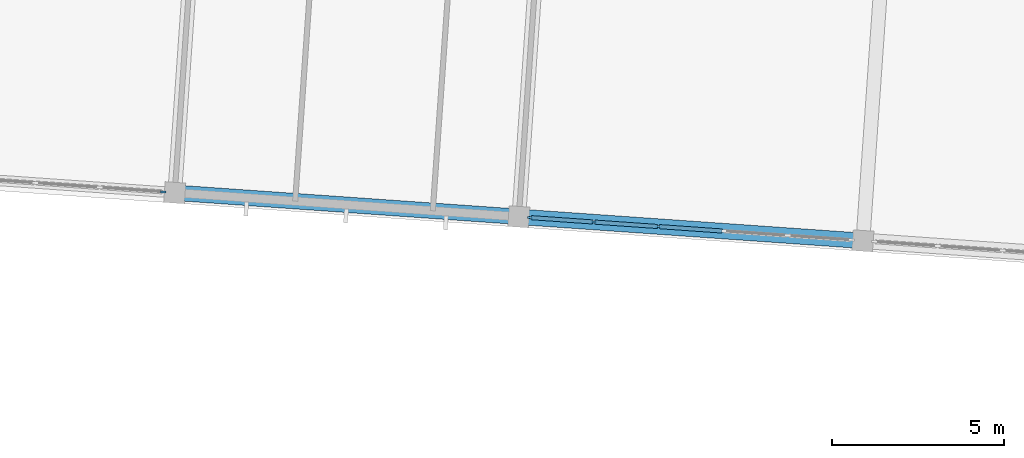
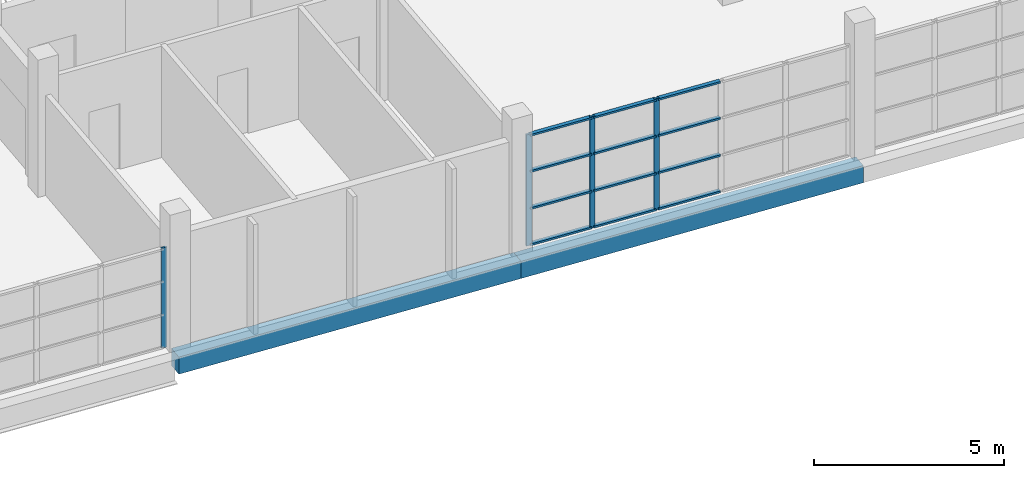
# One storey, part 36 of 115: 16 members, 2 beams, 2 elements without a shape of their own.
"""IFC4 building model written with IfcOpenShell, lengths in metres."""

from ifc_helpers import new_model, si_unit, direction, frame, origin, origin_2d, place, context, subcontext, project, spatial, rectangle, extrude, material, material_profile, profile_set, type_object, element, aggregate, save


model = new_model("IFC4")

# Units and contexts
model_context = context("Model", 3, precision=1e-05, world=origin(), true_north=direction((0.0, 1.0)))
body_context = subcontext(model_context, "Body", "Model", "MODEL_VIEW")
ifc_project = project(units=[si_unit("LENGTHUNIT", "METRE"), si_unit("AREAUNIT", "SQUARE_METRE"), si_unit("VOLUMEUNIT", "CUBIC_METRE"), si_unit("PLANEANGLEUNIT", "RADIAN"), si_unit("MASSUNIT", "GRAM", prefix="KILO")], contexts=[model_context])

# Site, building, storey
site_placement = place(None, origin())
site = spatial("IfcSite", under=ifc_project, at=site_placement, CompositionType="ELEMENT")
building_placement = place(site_placement, origin())
building = spatial("IfcBuilding", under=site, at=building_placement, Name="Windward Yard Aquatics Centre", CompositionType="ELEMENT")
storey_placement = place(building_placement, frame((0.0, 0.0, 5.0)))
storey = spatial("IfcBuildingStorey", under=building, at=storey_placement, Name="L01", CompositionType="ELEMENT", Elevation=5.0)

# Curtain wall, member
ifc_material_1 = material(Name="Aluminium curtain wall system", Category="aluminium")
curtain_wall_type = type_object("IfcCurtainWallType", Name="W curtain wall 1900", PredefinedType="NOTDEFINED", material=ifc_material_1)
curtain_wall_1_placement = place(storey_placement, origin())
curtain_wall_1 = element("IfcCurtainWall", 1, at=curtain_wall_1_placement, inside=storey, type_object=curtain_wall_type, Name="Wing south glazing L01 2", PredefinedType="NOTDEFINED")
ifc_material_2 = material(Name="Aluminium mullion", Category="aluminium")
ifc_material_profile_1 = material_profile(ifc_material_2, rectangle(XDim=0.06005859375, YDim=0.159912109375, at=origin_2d()), Name="AL 60x160")
ifc_profile_set_1 = profile_set([ifc_material_profile_1], Name="Aluminium mullion")
member_type_1 = type_object("IfcMemberType", Name="W CW mullion 60x160", PredefinedType="MULLION", material=ifc_profile_set_1)
member_1_placement = place(storey_placement, frame((117.509765625, 116.190673828125, 0.0), z_axis=(0.0, 0.0, 1.0), x_axis=(0.069755340111, 0.997564129531, 0.0)))
member_1 = element("IfcMember", 2, at=member_1_placement, type_object=member_type_1, Name="WCW1 mullion 6", PredefinedType="MULLION", context=body_context, shape_type="SweptSolid", body=[
    extrude(rectangle(XDim=0.06005859375, YDim=0.159912109375, at=origin_2d()), origin(), (0.0, 0.0, 1.0), 3.2060546875),
])
aggregate(curtain_wall_1, [member_1])

# Curtain wall, members
curtain_wall_2_placement = place(storey_placement, origin())
curtain_wall_2 = element("IfcCurtainWall", 3, at=curtain_wall_2_placement, inside=storey, type_object=curtain_wall_type, Name="Wing south glazing L01 3", PredefinedType="NOTDEFINED")
member_2_placement = place(storey_placement, frame((128.143798828125, 115.447021484375, 0.0), z_axis=(0.0, 0.0, 1.0), x_axis=(0.069755340111, 0.997564129531, 0.0)))
member_2 = element("IfcMember", 4, at=member_2_placement, type_object=member_type_1, Name="WCW1 mullion 1", PredefinedType="MULLION", context=body_context, shape_type="SweptSolid", body=[
    extrude(rectangle(XDim=0.06005859375, YDim=0.159912109375, at=origin_2d()), origin(), (0.0, 0.0, 1.0), 3.570068359375),
])
member_3_placement = place(storey_placement, frame((129.9892578125, 115.31787109375, 0.0), z_axis=(0.0, 0.0, 1.0), x_axis=(0.069755340111, 0.997564129531, 0.0)))
member_3 = element("IfcMember", 5, at=member_3_placement, type_object=member_type_1, Name="WCW1 mullion 2", PredefinedType="MULLION", context=body_context, shape_type="SweptSolid", body=[
    extrude(rectangle(XDim=0.06005859375, YDim=0.159912109375, at=origin_2d()), origin(), (0.0, 0.0, 1.0), 3.570068359375),
])
member_4_placement = place(storey_placement, frame((131.86474609375, 115.186767578125, 0.0), z_axis=(0.0, 0.0, 1.0), x_axis=(0.069755340111, 0.997564129531, 0.0)))
member_4 = element("IfcMember", 6, at=member_4_placement, type_object=member_type_1, Name="WCW1 mullion 3", PredefinedType="MULLION", context=body_context, shape_type="SweptSolid", body=[
    extrude(rectangle(XDim=0.06005859375, YDim=0.159912109375, at=origin_2d()), origin(), (0.0, 0.0, 1.0), 3.570068359375),
])
ifc_material_3 = material(Name="Aluminium transom", Category="aluminium")
ifc_material_profile_2 = material_profile(ifc_material_3, rectangle(XDim=0.1201171875, YDim=0.06005859375, at=origin_2d()), Name="AL 120x60")
ifc_profile_set_2 = profile_set([ifc_material_profile_2], Name="Aluminium transom")
member_type_2 = type_object("IfcMemberType", Name="W CW transom 120x60", PredefinedType="USERDEFINED", material=ifc_profile_set_2)
member_5_placement = place(storey_placement, frame((128.173583984375, 115.44482421875, 0.030029296875), z_axis=(0.997568269116, -0.069696115056, 0.0), x_axis=(0.069696115056, 0.997568269116, 0.0)))
member_5 = element("IfcMember", 7, at=member_5_placement, type_object=member_type_2, Name="WCW1 transom 1.1", ObjectType="TRANSOM", PredefinedType="USERDEFINED", context=body_context, shape_type="SweptSolid", body=[
    extrude(rectangle(XDim=0.1201171875, YDim=0.06005859375, at=origin_2d()), origin(), (0.0, 0.0, 1.0), 1.7900390625),
])
member_6_placement = place(storey_placement, frame((128.173583984375, 115.44482421875, 1.18994140625), z_axis=(0.997568269116, -0.069696115056, 0.0), x_axis=(0.069696115056, 0.997568269116, 0.0)))
member_6 = element("IfcMember", 8, at=member_6_placement, type_object=member_type_2, Name="WCW1 transom 1.2", ObjectType="TRANSOM", PredefinedType="USERDEFINED", context=body_context, shape_type="SweptSolid", body=[
    extrude(rectangle(XDim=0.1201171875, YDim=0.06005859375, at=origin_2d()), origin(), (0.0, 0.0, 1.0), 1.7900390625),
])
member_7_placement = place(storey_placement, frame((128.173583984375, 115.44482421875, 2.3798828125), z_axis=(0.997568269116, -0.069696115056, 0.0), x_axis=(0.069696115056, 0.997568269116, 0.0)))
member_7 = element("IfcMember", 9, at=member_7_placement, type_object=member_type_2, Name="WCW1 transom 1.3", ObjectType="TRANSOM", PredefinedType="USERDEFINED", context=body_context, shape_type="SweptSolid", body=[
    extrude(rectangle(XDim=0.1201171875, YDim=0.06005859375, at=origin_2d()), origin(), (0.0, 0.0, 1.0), 1.7900390625),
])
member_8_placement = place(storey_placement, frame((128.173583984375, 115.44482421875, 3.5400390625), z_axis=(0.997568269116, -0.069696115056, 0.0), x_axis=(0.069696115056, 0.997568269116, 0.0)))
member_8 = element("IfcMember", 10, at=member_8_placement, type_object=member_type_2, Name="WCW1 transom 1.4", ObjectType="TRANSOM", PredefinedType="USERDEFINED", context=body_context, shape_type="SweptSolid", body=[
    extrude(rectangle(XDim=0.1201171875, YDim=0.06005859375, at=origin_2d()), origin(), (0.0, 0.0, 1.0), 1.7900390625),
])
member_9_placement = place(storey_placement, frame((130.01904296875, 115.315673828125, 0.030029296875), z_axis=(0.99756447681, -0.06975037353, 0.0), x_axis=(0.06975037353, 0.99756447681, 0.0)))
member_9 = element("IfcMember", 11, at=member_9_placement, type_object=member_type_2, Name="WCW1 transom 2.1", ObjectType="TRANSOM", PredefinedType="USERDEFINED", context=body_context, shape_type="SweptSolid", body=[
    extrude(rectangle(XDim=0.1201171875, YDim=0.06005859375, at=origin_2d()), origin(), (0.0, 0.0, 1.0), 1.820068359375),
])
member_10_placement = place(storey_placement, frame((130.01904296875, 115.315673828125, 1.18994140625), z_axis=(0.99756447681, -0.06975037353, 0.0), x_axis=(0.06975037353, 0.99756447681, 0.0)))
member_10 = element("IfcMember", 12, at=member_10_placement, type_object=member_type_2, Name="WCW1 transom 2.2", ObjectType="TRANSOM", PredefinedType="USERDEFINED", context=body_context, shape_type="SweptSolid", body=[
    extrude(rectangle(XDim=0.1201171875, YDim=0.06005859375, at=origin_2d()), origin(), (0.0, 0.0, 1.0), 1.820068359375),
])
member_11_placement = place(storey_placement, frame((130.01904296875, 115.315673828125, 2.3798828125), z_axis=(0.99756447681, -0.06975037353, 0.0), x_axis=(0.06975037353, 0.99756447681, 0.0)))
member_11 = element("IfcMember", 13, at=member_11_placement, type_object=member_type_2, Name="WCW1 transom 2.3", ObjectType="TRANSOM", PredefinedType="USERDEFINED", context=body_context, shape_type="SweptSolid", body=[
    extrude(rectangle(XDim=0.1201171875, YDim=0.06005859375, at=origin_2d()), origin(), (0.0, 0.0, 1.0), 1.820068359375),
])
member_12_placement = place(storey_placement, frame((130.01904296875, 115.315673828125, 3.5400390625), z_axis=(0.99756447681, -0.06975037353, 0.0), x_axis=(0.06975037353, 0.99756447681, 0.0)))
member_12 = element("IfcMember", 14, at=member_12_placement, type_object=member_type_2, Name="WCW1 transom 2.4", ObjectType="TRANSOM", PredefinedType="USERDEFINED", context=body_context, shape_type="SweptSolid", body=[
    extrude(rectangle(XDim=0.1201171875, YDim=0.06005859375, at=origin_2d()), origin(), (0.0, 0.0, 1.0), 1.820068359375),
])
member_13_placement = place(storey_placement, frame((131.89453125, 115.1845703125, 0.030029296875), z_axis=(0.99756447681, -0.06975037353, 0.0), x_axis=(0.06975037353, 0.99756447681, 0.0)))
member_13 = element("IfcMember", 15, at=member_13_placement, type_object=member_type_2, Name="WCW1 transom 3.1", ObjectType="TRANSOM", PredefinedType="USERDEFINED", context=body_context, shape_type="SweptSolid", body=[
    extrude(rectangle(XDim=0.1201171875, YDim=0.06005859375, at=origin_2d()), origin(), (0.0, 0.0, 1.0), 1.820068359375),
])
member_14_placement = place(storey_placement, frame((131.89453125, 115.1845703125, 1.18994140625), z_axis=(0.99756447681, -0.06975037353, 0.0), x_axis=(0.06975037353, 0.99756447681, 0.0)))
member_14 = element("IfcMember", 16, at=member_14_placement, type_object=member_type_2, Name="WCW1 transom 3.2", ObjectType="TRANSOM", PredefinedType="USERDEFINED", context=body_context, shape_type="SweptSolid", body=[
    extrude(rectangle(XDim=0.1201171875, YDim=0.06005859375, at=origin_2d()), origin(), (0.0, 0.0, 1.0), 1.820068359375),
])
member_15_placement = place(storey_placement, frame((131.89453125, 115.1845703125, 2.3798828125), z_axis=(0.99756447681, -0.06975037353, 0.0), x_axis=(0.06975037353, 0.99756447681, 0.0)))
member_15 = element("IfcMember", 17, at=member_15_placement, type_object=member_type_2, Name="WCW1 transom 3.3", ObjectType="TRANSOM", PredefinedType="USERDEFINED", context=body_context, shape_type="SweptSolid", body=[
    extrude(rectangle(XDim=0.1201171875, YDim=0.06005859375, at=origin_2d()), origin(), (0.0, 0.0, 1.0), 1.820068359375),
])
member_16_placement = place(storey_placement, frame((131.89453125, 115.1845703125, 3.5400390625), z_axis=(0.99756447681, -0.06975037353, 0.0), x_axis=(0.06975037353, 0.99756447681, 0.0)))
member_16 = element("IfcMember", 18, at=member_16_placement, type_object=member_type_2, Name="WCW1 transom 3.4", ObjectType="TRANSOM", PredefinedType="USERDEFINED", context=body_context, shape_type="SweptSolid", body=[
    extrude(rectangle(XDim=0.1201171875, YDim=0.06005859375, at=origin_2d()), origin(), (0.0, 0.0, 1.0), 1.820068359375),
])
aggregate(curtain_wall_2, [member_2, member_3, member_4, member_5, member_6, member_7, member_8, member_9, member_10, member_11, member_12, member_13, member_14, member_15, member_16])

# Beams
ifc_material_4 = material(Name="Concrete C40/50", Category="concrete")
ifc_material_profile_3 = material_profile(ifc_material_4, rectangle(XDim=0.449951171875, YDim=0.550048828125, at=origin_2d()), Name="RC 450x550")
ifc_profile_set_3 = profile_set([ifc_material_profile_3], Name="Concrete C40/50")
beam_type = type_object("IfcBeamType", Name="W RC 450x550 beam Concrete C40/50", PredefinedType="BEAM", material=ifc_profile_set_3)
for number, where, z_axis, x_axis, name in (
    (19, (117.8388671875, 116.16748046875, -0.554931640625), (0.997564406228, -0.069751382981, 0.0), (0.069751382981, 0.997564406228, 0.0), "W.BU.L01.1.2"),
    (20, (127.814453125, 115.469970703125, -0.554931640625), (0.997564406228, -0.069751382981, 0.0), (0.069751382981, 0.997564406228, 0.0), "W.BU.L01.1.3"),
):
    element("IfcBeam", number, at=place(storey_placement, frame(where, z_axis=z_axis, x_axis=x_axis)), inside=storey, type_object=beam_type, Name=name, PredefinedType="BEAM", context=body_context, shape_type="SweptSolid", body=[
        extrude(rectangle(XDim=0.449951171875, YDim=0.550048828125, at=origin_2d()), origin(), (0.0, 0.0, 1.0), 10.0),
    ])

save(model, "model.ifc")
